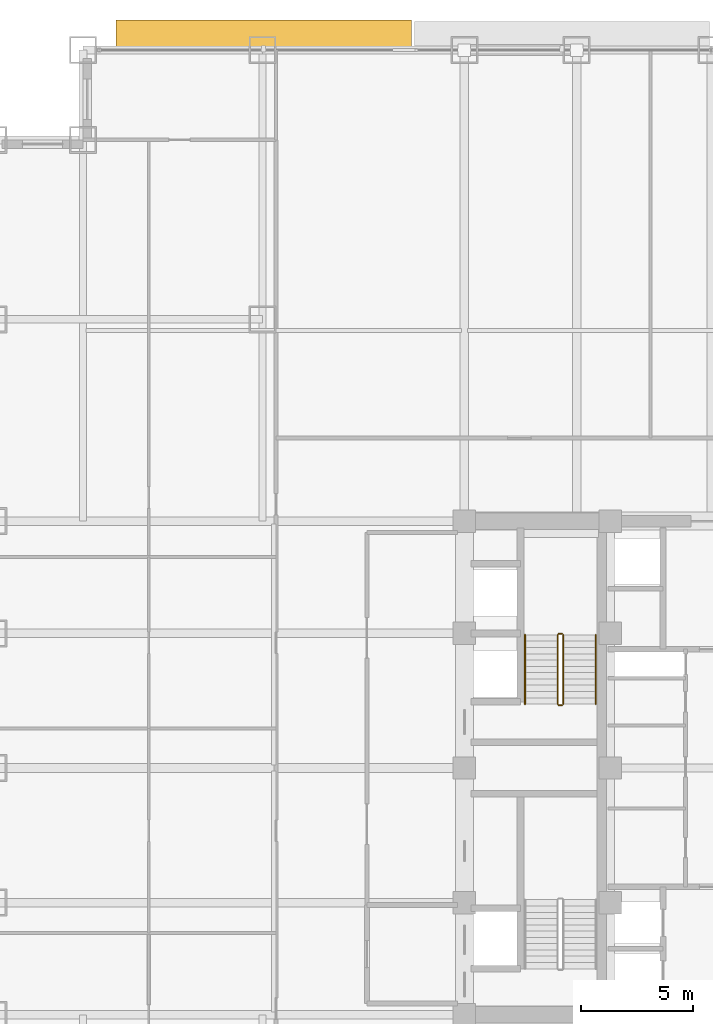
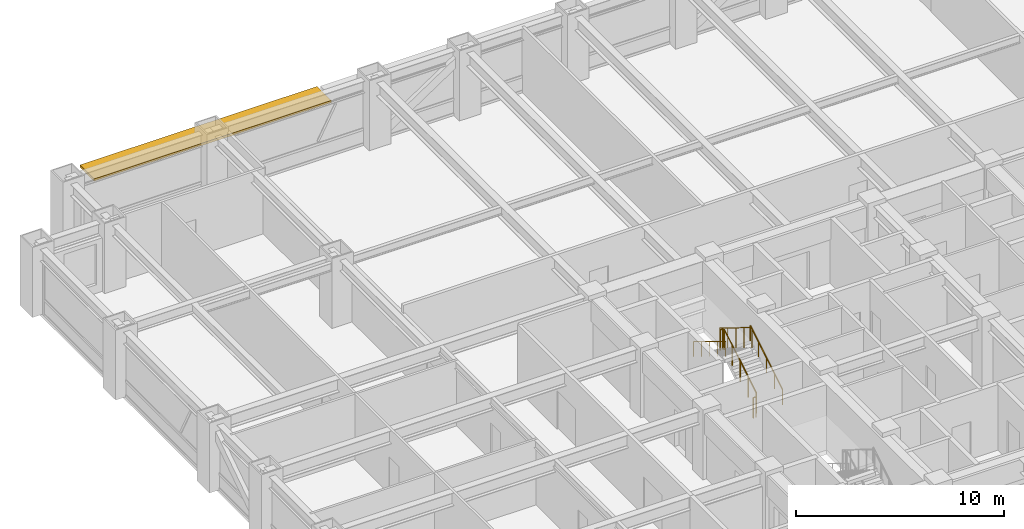
# One storey, part 31 of 32: 6 railings, 1 shading device.
"""IFC4 building model written with IfcOpenShell, lengths in metres."""

from ifc_helpers import new_model, si_unit, direction, frame, origin, origin_2d, place, context, subcontext, project, spatial, rectangle, circle, extrude, source, transform, mapped, material, layer, layer_set, type_object, element, save


model = new_model("IFC4")

# Units and contexts
model_context = context("Model", 3, precision=1e-05, world=origin(), true_north=direction((0.0, 1.0)))
body_context = subcontext(model_context, "Body", "Model", "MODEL_VIEW")
ifc_project = project(units=[si_unit("LENGTHUNIT", "METRE"), si_unit("AREAUNIT", "SQUARE_METRE"), si_unit("VOLUMEUNIT", "CUBIC_METRE"), si_unit("PLANEANGLEUNIT", "RADIAN"), si_unit("MASSUNIT", "GRAM", prefix="KILO")], contexts=[model_context])

# Site, building, storey
site_placement = place(None, origin())
site = spatial("IfcSite", under=ifc_project, at=site_placement, CompositionType="ELEMENT")
building_placement = place(site_placement, origin())
building = spatial("IfcBuilding", under=site, at=building_placement, Name="Khorayat Bourse Tower", CompositionType="ELEMENT")
storey_placement = place(building_placement, frame((0.0, 0.0, 136.5)))
storey = spatial("IfcBuildingStorey", under=building, at=storey_placement, Name="L31", CompositionType="ELEMENT", Elevation=136.5)

# Shading device
ifc_material_1 = material(Name="Precast concrete C45/55", Category="concrete")
ifc_layer = layer(ifc_material_1, 0.139892578125)
ifc_layer_set = layer_set([ifc_layer], Name="Precast concrete C45/55")
shading_device_type = type_object("IfcShadingDeviceType", Name="SHD-WAVE-TRAY-B", PredefinedType="USERDEFINED", material=ifc_layer_set)
shared_shape_1 = source(origin(), body_context, "Body", "SweptSolid", [
    extrude(rectangle(XDim=13.159912109375, YDim=1.360107421875, at=origin_2d()), origin(), (0.0, 0.0, 1.0), 0.139892578125),
])
shading_device_placement = place(storey_placement, frame((-19.949951171875, 32.66015625, 3.08984375), z_axis=(0.0, 0.0, 1.0), x_axis=(1.0, 0.0, 0.0)))
element("IfcShadingDevice", 1, at=shading_device_placement, inside=storey, type_object=shading_device_type, Name="L31 Sinusoidal Wave Sunshade Tray N-1", ObjectType="SUNSHADE", PredefinedType="USERDEFINED", context=body_context, shape_type="MappedRepresentation", body=[
    mapped(shared_shape_1, transform((0.0, 0.0, 0.0), scale=1.0)),
])

# Railings
ifc_material_2 = material(Name="Powder-coated steel balustrade", Category="steel")
railing_type_1 = type_object("IfcRailingType", Name="RLG-GUARD-1200", PredefinedType="GUARDRAIL", material=ifc_material_2)
shared_shape_2 = source(origin(), body_context, "Body", "SweptSolid", [
    extrude(circle(Radius=0.02392578125, at=origin_2d()), frame((0.0, 0.0, 1.17578125), z_axis=(-1.0, 0.0, 0.0), x_axis=(0.0, -1.0, 0.0)), (0.0, 0.0, 1.0), 0.150146484375),
    extrude(circle(Radius=0.02099609375, at=origin_2d()), origin(), (0.0, 0.0, 1.0), 1.15185546875),
    extrude(circle(Radius=0.02099609375, at=origin_2d()), frame((-0.150146484375, 0.0, 0.0)), (0.0, 0.0, 1.0), 1.15185546875),
])
for number, where, name in (
    (2, (-6.64990234375, 5.97998046875, 2.050048828125), "L31 ST-2 stair guard 2"),
    (3, (-6.64990234375, 2.800048828125, 0.0), "L31 ST-2 stair guard 4"),
):
    element("IfcRailing", number, at=place(storey_placement, frame(where)), inside=storey, type_object=railing_type_1, Name=name, PredefinedType="GUARDRAIL", context=body_context, shape_type="MappedRepresentation", body=[
        mapped(shared_shape_2, transform((0.0, 0.0, 0.0), scale=1.0)),
    ])
shared_shape_3 = source(origin(), body_context, "Body", "SweptSolid", [
    extrude(circle(Radius=0.02392578125, at=origin_2d()), frame((0.0, 0.0, 1.17578125), z_axis=(0.0, 0.853647949592, 0.520850437417), x_axis=(-1.0, 0.0, 0.0)), (0.0, 0.0, 1.0), 3.60791015625),
    extrude(circle(Radius=0.02099609375, at=origin_2d()), origin(), (0.0, 0.0, 1.0), 1.15185546875),
    extrude(circle(Radius=0.02099609375, at=origin_2d()), frame((0.0, 0.77001953125, 0.4697265625)), (0.0, 0.0, 1.0), 1.15185546875),
    extrude(circle(Radius=0.02099609375, at=origin_2d()), frame((0.0, 1.5400390625, 0.939453125)), (0.0, 0.0, 1.0), 1.15185546875),
    extrude(circle(Radius=0.02099609375, at=origin_2d()), frame((0.0, 2.309814453125, 1.409423828125)), (0.0, 0.0, 1.0), 1.15185546875),
    extrude(circle(Radius=0.02099609375, at=origin_2d()), frame((0.0, 3.079833984375, 1.879150390625)), (0.0, 0.0, 1.0), 1.15185546875),
])
railing_1_placement = place(storey_placement, frame((-6.60009765625, 2.85009765625, 0.1708984375)))
element("IfcRailing", 4, at=railing_1_placement, inside=storey, type_object=railing_type_1, Name="L31 ST-2 stair guard 1", PredefinedType="GUARDRAIL", context=body_context, shape_type="MappedRepresentation", body=[
    mapped(shared_shape_3, transform((0.0, 0.0, 0.0), scale=1.0)),
])
shared_shape_4 = source(origin(), body_context, "Body", "SweptSolid", [
    extrude(circle(Radius=0.02392578125, at=origin_2d()), frame((0.0, 0.0, 1.17578125), z_axis=(0.0, -0.853647949592, 0.520850437417), x_axis=(1.0, 0.0, 0.0)), (0.0, 0.0, 1.0), 3.60791015625),
    extrude(circle(Radius=0.02099609375, at=origin_2d()), origin(), (0.0, 0.0, 1.0), 1.15185546875),
    extrude(circle(Radius=0.02099609375, at=origin_2d()), frame((0.0, -0.77001953125, 0.4697265625)), (0.0, 0.0, 1.0), 1.15185546875),
    extrude(circle(Radius=0.02099609375, at=origin_2d()), frame((0.0, -1.5400390625, 0.939453125)), (0.0, 0.0, 1.0), 1.15185546875),
    extrude(circle(Radius=0.02099609375, at=origin_2d()), frame((0.0, -2.309814453125, 1.409423828125)), (0.0, 0.0, 1.0), 1.15185546875),
    extrude(circle(Radius=0.02099609375, at=origin_2d()), frame((0.0, -3.079833984375, 1.879150390625)), (0.0, 0.0, 1.0), 1.15185546875),
])
railing_2_placement = place(storey_placement, frame((-6.85009765625, 5.929931640625, 2.220947265625)))
element("IfcRailing", 5, at=railing_2_placement, inside=storey, type_object=railing_type_1, Name="L31 ST-2 stair guard 3", PredefinedType="GUARDRAIL", context=body_context, shape_type="MappedRepresentation", body=[
    mapped(shared_shape_4, transform((0.0, 0.0, 0.0), scale=1.0)),
])
ifc_material_3 = material(Name="Brushed bronze stainless-steel handrail", Category="steel")
railing_type_2 = type_object("IfcRailingType", Name="RLG-HAND-900", PredefinedType="HANDRAIL", material=ifc_material_3)
shared_shape_5 = source(origin(), body_context, "Body", "SweptSolid", [
    extrude(circle(Radius=0.02392578125, at=origin_2d()), frame((0.0, 0.0, 0.8759765625), z_axis=(0.0, 0.853647949592, 0.520850437417), x_axis=(-1.0, 0.0, 0.0)), (0.0, 0.0, 1.0), 3.60791015625),
    extrude(circle(Radius=0.02099609375, at=origin_2d()), origin(), (0.0, 0.0, 1.0), 0.851806640625),
    extrude(circle(Radius=0.02099609375, at=origin_2d()), frame((0.0, 0.77001953125, 0.4697265625)), (0.0, 0.0, 1.0), 0.851806640625),
    extrude(circle(Radius=0.02099609375, at=origin_2d()), frame((0.0, 1.5400390625, 0.939453125)), (0.0, 0.0, 1.0), 0.851806640625),
    extrude(circle(Radius=0.02099609375, at=origin_2d()), frame((0.0, 2.309814453125, 1.409423828125)), (0.0, 0.0, 1.0), 0.851806640625),
    extrude(circle(Radius=0.02099609375, at=origin_2d()), frame((0.0, 3.079833984375, 1.879150390625)), (0.0, 0.0, 1.0), 0.851806640625),
])
railing_3_placement = place(storey_placement, frame((-5.14990234375, 2.85009765625, 0.1708984375)))
element("IfcRailing", 6, at=railing_3_placement, inside=storey, type_object=railing_type_2, Name="L31 ST-2 stair handrail 1", PredefinedType="HANDRAIL", context=body_context, shape_type="MappedRepresentation", body=[
    mapped(shared_shape_5, transform((0.0, 0.0, 0.0), scale=1.0)),
])
shared_shape_6 = source(origin(), body_context, "Body", "SweptSolid", [
    extrude(circle(Radius=0.02392578125, at=origin_2d()), frame((0.0, 0.0, 0.8759765625), z_axis=(0.0, -0.853647949592, 0.520850437417), x_axis=(1.0, 0.0, 0.0)), (0.0, 0.0, 1.0), 3.60791015625),
    extrude(circle(Radius=0.02099609375, at=origin_2d()), origin(), (0.0, 0.0, 1.0), 0.851806640625),
    extrude(circle(Radius=0.02099609375, at=origin_2d()), frame((0.0, -0.77001953125, 0.4697265625)), (0.0, 0.0, 1.0), 0.851806640625),
    extrude(circle(Radius=0.02099609375, at=origin_2d()), frame((0.0, -1.5400390625, 0.939453125)), (0.0, 0.0, 1.0), 0.851806640625),
    extrude(circle(Radius=0.02099609375, at=origin_2d()), frame((0.0, -2.309814453125, 1.409423828125)), (0.0, 0.0, 1.0), 0.851806640625),
    extrude(circle(Radius=0.02099609375, at=origin_2d()), frame((0.0, -3.079833984375, 1.879150390625)), (0.0, 0.0, 1.0), 0.851806640625),
])
railing_4_placement = place(storey_placement, frame((-8.300048828125, 5.929931640625, 2.220947265625)))
element("IfcRailing", 7, at=railing_4_placement, inside=storey, type_object=railing_type_2, Name="L31 ST-2 stair handrail 2", PredefinedType="HANDRAIL", context=body_context, shape_type="MappedRepresentation", body=[
    mapped(shared_shape_6, transform((0.0, 0.0, 0.0), scale=1.0)),
])

save(model, "model.ifc")
